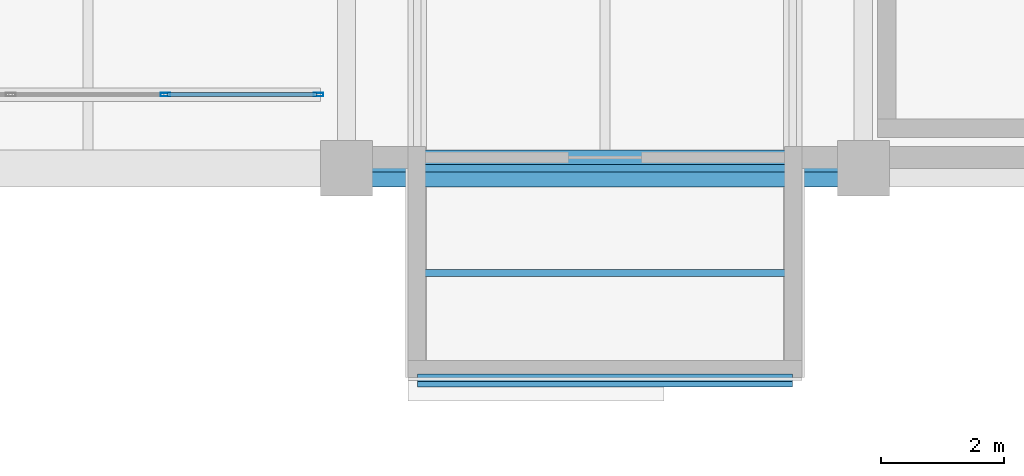
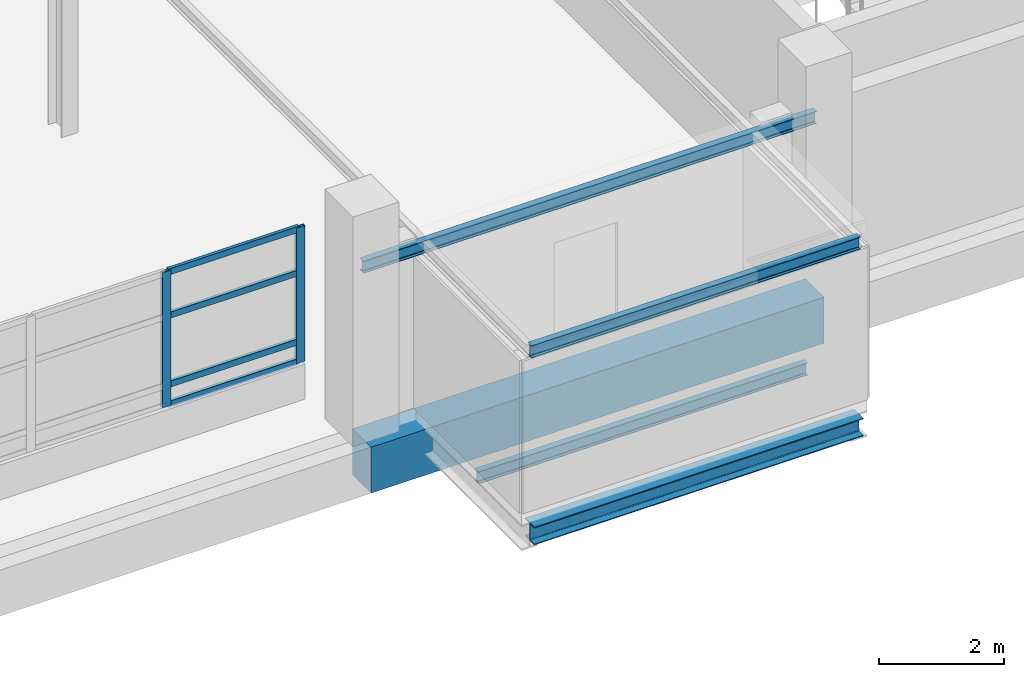
# One storey, part 34 of 103: 6 members, 5 beams, 1 element without a shape of its own.
"""IFC4 building model written with IfcOpenShell, lengths in metres."""

from ifc_helpers import new_model, si_unit, direction, frame, origin, origin_2d, place, context, subcontext, project, spatial, rectangle, hollow_rectangle, i_section, extrude, material, material_profile, profile_set, type_object, element, aggregate, save


model = new_model("IFC4")

# Units and contexts
model_context = context("Model", 3, precision=1e-05, world=origin(), true_north=direction((0.0, 1.0)))
body_context = subcontext(model_context, "Body", "Model", "MODEL_VIEW")
ifc_project = project(units=[si_unit("LENGTHUNIT", "METRE"), si_unit("AREAUNIT", "SQUARE_METRE"), si_unit("VOLUMEUNIT", "CUBIC_METRE"), si_unit("PLANEANGLEUNIT", "RADIAN"), si_unit("MASSUNIT", "GRAM", prefix="KILO")], contexts=[model_context])

# Site, building, storey
site_placement = place(None, origin())
site = spatial("IfcSite", under=ifc_project, at=site_placement, CompositionType="ELEMENT")
building_placement = place(site_placement, origin())
building = spatial("IfcBuilding", under=site, at=building_placement, Name="Veltarok Museum of Natural Sciences", CompositionType="ELEMENT")
storey_placement = place(building_placement, frame((0.0, 0.0, 21.89990234375)))
storey = spatial("IfcBuildingStorey", under=building, at=storey_placement, Name="L04", CompositionType="ELEMENT", Elevation=21.89990234375)

# Beams
ifc_material_1 = material(Name="Steel S355J2", Category="steel")
ifc_material_profile_1 = material_profile(ifc_material_1, i_section(OverallWidth=0.1201171875, OverallDepth=0.239990234375, WebThickness=0.006103515625, FlangeThickness=0.009765625, FilletRadius=0.014892578125, at=origin_2d()), Name="IPE 240")
ifc_profile_set_1 = profile_set([ifc_material_profile_1], Name="Steel S355J2")
beam_type_1 = type_object("IfcBeamType", Name="Cabinet Box Secondary Joist IPE 240", PredefinedType="JOIST", material=ifc_profile_set_1)
beam_1_placement = place(storey_placement, frame((82.0, 0.0, 3.130126953125), z_axis=(1.0, 0.0, 0.0), x_axis=(0.0, 1.0, 0.0)))
element("IfcBeam", 1, at=beam_1_placement, inside=storey, type_object=beam_type_1, Name="Cabinet Roof Tie Beam DB-22-P", PredefinedType="JOIST", context=body_context, shape_type="SweptSolid", body=[
    extrude(i_section(OverallWidth=0.1201171875, OverallDepth=0.239990234375, WebThickness=0.006103515625, FlangeThickness=0.009765625, FilletRadius=0.014892578125, at=origin_2d()), origin(), (0.0, 0.0, 1.0), 8.39990234375),
])
for number, where, z_axis, x_axis, name in (
    (2, (83.14990234375, -3.39990234375, 3.130126953125), (1.0, 0.0, 0.0), (0.0, 1.0, 0.0), "Cabinet Roof Tip Header DB-22"),
    (3, (83.14990234375, -1.699951171875, -0.369873046875), (1.0, 0.0, 0.0), (0.0, 1.0, 0.0), "Cabinet Box Joist DB-22"),
):
    element("IfcBeam", number, at=place(storey_placement, frame(where, z_axis=z_axis, x_axis=x_axis)), inside=storey, type_object=beam_type_1, Name=name, PredefinedType="JOIST", context=body_context, shape_type="SweptSolid", body=[
        extrude(i_section(OverallWidth=0.1201171875, OverallDepth=0.239990234375, WebThickness=0.006103515625, FlangeThickness=0.009765625, FilletRadius=0.014892578125, at=origin_2d()), origin(), (0.0, 0.0, 1.0), 6.10009765625),
    ])
ifc_material_profile_2 = material_profile(ifc_material_1, i_section(OverallWidth=0.300048828125, OverallDepth=0.35009765625, WebThickness=0.010009765625, FlangeThickness=0.017578125, FilletRadius=0.027099609375, at=origin_2d()), Name="HEA 360")
ifc_profile_set_2 = profile_set([ifc_material_profile_2], Name="Steel S355J2")
beam_type_2 = type_object("IfcBeamType", Name="Cabinet Box Tip Header HEA 360", PredefinedType="BEAM", material=ifc_profile_set_2)
beam_2_placement = place(storey_placement, frame((83.14990234375, -3.39990234375, -0.4248046875), z_axis=(1.0, 0.0, 0.0), x_axis=(0.0, 1.0, 0.0)))
element("IfcBeam", 4, at=beam_2_placement, inside=storey, type_object=beam_type_2, Name="Cabinet Tip Header DB-22", PredefinedType="BEAM", context=body_context, shape_type="SweptSolid", body=[
    extrude(i_section(OverallWidth=0.300048828125, OverallDepth=0.35009765625, WebThickness=0.010009765625, FlangeThickness=0.017578125, FilletRadius=0.027099609375, at=origin_2d()), origin(), (0.0, 0.0, 1.0), 6.10009765625),
])

# Curtain wall, members
ifc_material_2 = material(Name="Low-iron triple insulated glass", Category="glass")
curtain_wall_type = type_object("IfcCurtainWallType", Name="Curtain Wall System CW-CAB-L04-B-755x266 (V1 Recessed L04 755x266cm)", PredefinedType="NOTDEFINED", material=ifc_material_2)
curtain_wall_placement = place(storey_placement, origin())
curtain_wall = element("IfcCurtainWall", 5, at=curtain_wall_placement, inside=storey, type_object=curtain_wall_type, Name="Curtain Wall CW-CAB-L04-B-755x266 CW-0008", PredefinedType="NOTDEFINED")
ifc_material_3 = material(Name="Thermally broken anodised aluminium", Category="aluminium")
ifc_material_profile_3 = material_profile(ifc_material_3, hollow_rectangle(XDim=0.06005859375, YDim=0.1201171875, WallThickness=0.0048828125, at=origin_2d()), Name="CW TRANSOM 60x120x5")
ifc_profile_set_3 = profile_set([ifc_material_profile_3], Name="Thermally broken anodised aluminium")
member_type_1 = type_object("IfcMemberType", Name="Curtain Wall Horizontal Transom 60x120x5", PredefinedType="USERDEFINED", material=ifc_profile_set_3)
member_1_placement = place(storey_placement, frame((79.08837890625, 1.199951171875, 0.710205078125), z_axis=(1.0, 0.0, 0.0), x_axis=(0.0, 1.0, 0.0)))
member_1 = element("IfcMember", 6, at=member_1_placement, type_object=member_type_1, Name="CW-CAB-L04-B-755x266 transom 3.1", ObjectType="TRANSOM", PredefinedType="USERDEFINED", context=body_context, shape_type="SweptSolid", body=[
    extrude(hollow_rectangle(XDim=0.06005859375, YDim=0.1201171875, WallThickness=0.0048828125, at=origin_2d()), origin(), (0.0, 0.0, 1.0), 2.426513671875),
])
member_2_placement = place(storey_placement, frame((79.08837890625, 1.199951171875, 1.10009765625), z_axis=(1.0, 0.0, 0.0), x_axis=(0.0, 1.0, 0.0)))
member_2 = element("IfcMember", 7, at=member_2_placement, type_object=member_type_1, Name="CW-CAB-L04-B-755x266 transom 3.2", ObjectType="TRANSOM", PredefinedType="USERDEFINED", context=body_context, shape_type="SweptSolid", body=[
    extrude(hollow_rectangle(XDim=0.06005859375, YDim=0.1201171875, WallThickness=0.0048828125, at=origin_2d()), origin(), (0.0, 0.0, 1.0), 2.426513671875),
])
member_3_placement = place(storey_placement, frame((79.08837890625, 1.199951171875, 2.4501953125), z_axis=(1.0, 0.0, 0.0), x_axis=(0.0, 1.0, 0.0)))
member_3 = element("IfcMember", 8, at=member_3_placement, type_object=member_type_1, Name="CW-CAB-L04-B-755x266 transom 3.3", ObjectType="TRANSOM", PredefinedType="USERDEFINED", context=body_context, shape_type="SweptSolid", body=[
    extrude(hollow_rectangle(XDim=0.06005859375, YDim=0.1201171875, WallThickness=0.0048828125, at=origin_2d()), origin(), (0.0, 0.0, 1.0), 2.426513671875),
])
member_4_placement = place(storey_placement, frame((79.08837890625, 1.199951171875, 3.30517578125), z_axis=(1.0, 0.0, 0.0), x_axis=(0.0, 1.0, 0.0)))
member_4 = element("IfcMember", 9, at=member_4_placement, type_object=member_type_1, Name="CW-CAB-L04-B-755x266 transom 3.4", ObjectType="TRANSOM", PredefinedType="USERDEFINED", context=body_context, shape_type="SweptSolid", body=[
    extrude(hollow_rectangle(XDim=0.06005859375, YDim=0.1201171875, WallThickness=0.0048828125, at=origin_2d()), origin(), (0.0, 0.0, 1.0), 2.426513671875),
])
ifc_material_profile_4 = material_profile(ifc_material_3, hollow_rectangle(XDim=0.06005859375, YDim=0.159912109375, WallThickness=0.0048828125, at=origin_2d()), Name="CW MULLION 60x160x5")
ifc_profile_set_4 = profile_set([ifc_material_profile_4], Name="Thermally broken anodised aluminium")
member_type_2 = type_object("IfcMemberType", Name="Curtain Wall Vertical Mullion 60x160x5", PredefinedType="MULLION", material=ifc_profile_set_4)
member_5_placement = place(storey_placement, frame((79.058349609375, 1.199951171875, 0.68017578125), z_axis=(0.0, 0.0, 1.0), x_axis=(0.0, 1.0, 0.0)))
member_5 = element("IfcMember", 10, at=member_5_placement, type_object=member_type_2, Name="CW-CAB-L04-B-755x266 mullion 3", PredefinedType="MULLION", context=body_context, shape_type="SweptSolid", body=[
    extrude(hollow_rectangle(XDim=0.06005859375, YDim=0.159912109375, WallThickness=0.0048828125, at=origin_2d()), origin(), (0.0, 0.0, 1.0), 2.655029296875),
])
member_6_placement = place(storey_placement, frame((81.544921875, 1.199951171875, 0.68017578125), z_axis=(0.0, 0.0, 1.0), x_axis=(0.0, 1.0, 0.0)))
member_6 = element("IfcMember", 11, at=member_6_placement, type_object=member_type_2, Name="CW-CAB-L04-B-755x266 mullion 4", PredefinedType="MULLION", context=body_context, shape_type="SweptSolid", body=[
    extrude(hollow_rectangle(XDim=0.06005859375, YDim=0.159912109375, WallThickness=0.0048828125, at=origin_2d()), origin(), (0.0, 0.0, 1.0), 2.655029296875),
])
aggregate(curtain_wall, [member_5, member_6, member_1, member_2, member_3, member_4])

# Beam
ifc_material_4 = material(Name="Concrete C40/50", Category="concrete")
ifc_material_profile_5 = material_profile(ifc_material_4, rectangle(XDim=0.60009765625, YDim=0.89990234375, at=origin_2d()), Name="RC 600x900")
ifc_profile_set_5 = profile_set([ifc_material_profile_5], Name="Concrete C40/50")
beam_type_3 = type_object("IfcBeamType", Name="Exposed Cabinet Perimeter Spandrel RC 600x900", PredefinedType="SPANDREL", material=ifc_profile_set_5)
beam_3_placement = place(storey_placement, frame((82.0, 0.0, -0.699951171875), z_axis=(1.0, 0.0, 0.0), x_axis=(0.0, 1.0, 0.0)))
element("IfcBeam", 12, at=beam_3_placement, inside=storey, type_object=beam_type_3, Name="Beam BM-SP01 L04 10-11/A", PredefinedType="SPANDREL", context=body_context, shape_type="SweptSolid", body=[
    extrude(rectangle(XDim=0.60009765625, YDim=0.89990234375, at=origin_2d()), origin(), (0.0, 0.0, 1.0), 8.39990234375),
])

save(model, "model.ifc")
